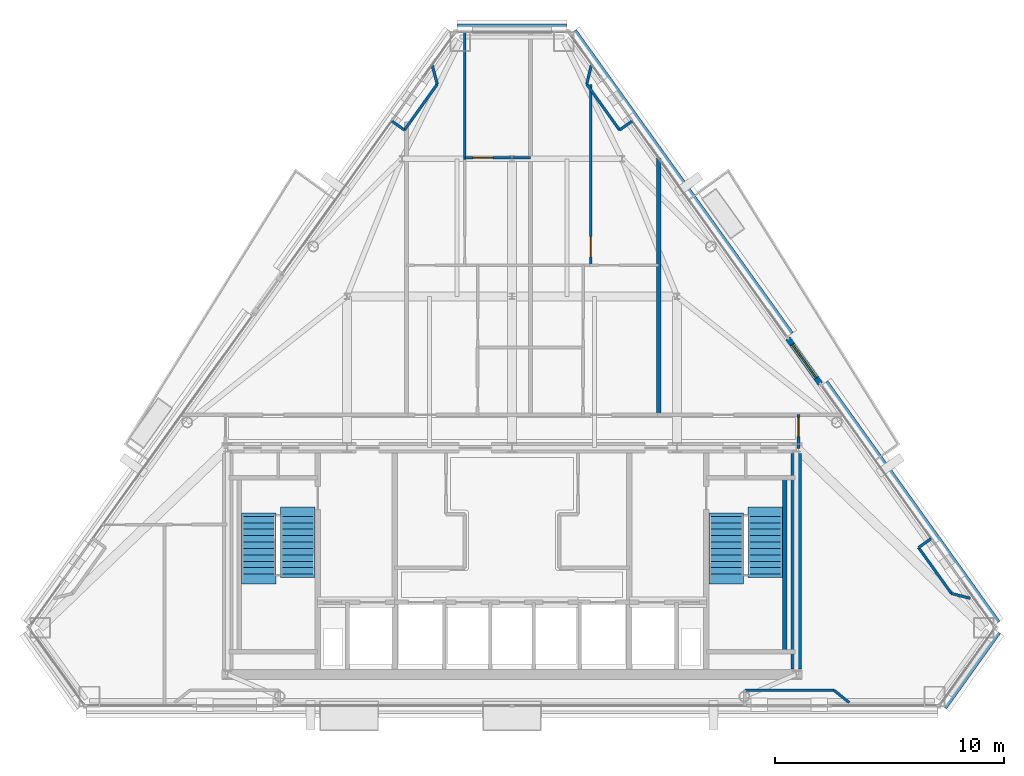
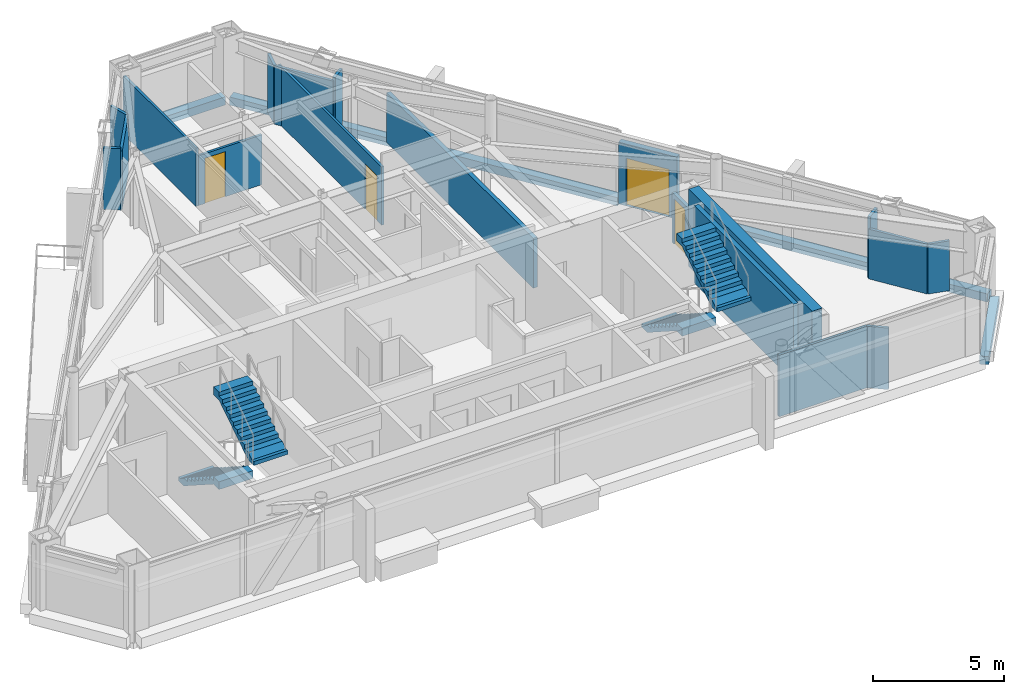
# One storey, part 10 of 12: 23 walls, 4 doors, 4 stair flights, 4 openings, 2 elements without a shape of their own.
"""IFC4 building model written with IfcOpenShell, lengths in metres."""

from ifc_helpers import new_model, si_unit, direction, frame, frame_2d, origin, place, context, subcontext, project, spatial, polyline, rectangle, outline, extrude, material, layer, layer_set, type_object, element, fill, aggregate, save


model = new_model("IFC4")

# Units and contexts
model_context = context("Model", 3, precision=1e-05, world=origin(), true_north=direction((0.0, 1.0)))
body_context = subcontext(model_context, "Body", "Model", "MODEL_VIEW")
ifc_project = project(units=[si_unit("LENGTHUNIT", "METRE"), si_unit("AREAUNIT", "SQUARE_METRE"), si_unit("VOLUMEUNIT", "CUBIC_METRE"), si_unit("PLANEANGLEUNIT", "RADIAN"), si_unit("MASSUNIT", "GRAM", prefix="KILO")], contexts=[model_context])

# Site, building, storey
site_placement = place(None, origin())
site = spatial("IfcSite", under=ifc_project, at=site_placement, CompositionType="ELEMENT")
building_placement = place(site_placement, origin())
building = spatial("IfcBuilding", under=site, at=building_placement, Name="Talgorran Terracotta Tower", CompositionType="ELEMENT")
storey_placement = place(building_placement, frame((0.0, 0.0, 249.0)))
storey = spatial("IfcBuildingStorey", under=building, at=storey_placement, Name="L65", CompositionType="ELEMENT", Elevation=249.0)

# Wall, opening, door
ifc_material_1 = material(Name="Concrete C40/50", Category="concrete")
ifc_layer_1 = layer(ifc_material_1, 0.239990234375, Name="WT_BALCONY_SPAND")
ifc_layer_set_1 = layer_set([ifc_layer_1], Name="Concrete C40/50")
wall_type_1 = type_object("IfcWallType", Name="WT_BALCONY_SPAND", PredefinedType="STANDARD", material=ifc_layer_set_1)
wall_1_placement = place(storey_placement, frame((13.458251953125, -1.417236328125, -0.014892578125), z_axis=(0.0, 0.0, 1.0), x_axis=(-0.582146480264, 0.813083928949, 0.0)))
wall_1 = element("IfcWall", 1, at=wall_1_placement, inside=storey, type_object=wall_type_1, Name="WL-L65-BALP-BAL-NE", PredefinedType="STANDARD", context=body_context, shape_type="SweptSolid", body=[
    extrude(rectangle(XDim=2.43994140625, YDim=0.239990234375, at=frame_2d((1.219970703125, 0.0))), origin(), (0.0, 0.0, 1.0), 2.8779296875),
])
opening_1_placement = place(wall_1_placement, frame((0.320068359375, 0.0, 0.014892578125)))
opening_1 = element("IfcOpeningElement", 2, at=opening_1_placement, cuts=wall_1, Name="Opening D-BAL-L65-1", PredefinedType="OPENING", context=body_context, shape_type="SweptSolid", body=[
    extrude(rectangle(XDim=1.806048828125, YDim=2.203951171875, at=frame_2d((0.89990234375, 1.10205078125))), frame((0.0, 0.1298828125, 0.0), z_axis=(0.0, -1.0, 0.0), x_axis=(1.0, 0.0, 0.0)), (0.0, 0.0, 1.0), 0.260009765625),
])
ifc_material_2 = material(Name="Thermally Broken Aluminium", Category="aluminium")
door_type_1 = type_object("IfcDoorType", Name="DT_BALC_1800", OperationType="SLIDING_TO_LEFT", PredefinedType="DOOR", material=ifc_material_2)
door_1_placement = place(opening_1_placement, origin())
door_1 = element("IfcDoor", 3, at=door_1_placement, inside=storey, type_object=door_type_1, Name="DR-L65-BAL-BAL-NE", OperationType="SLIDING_TO_LEFT", OverallHeight=2.199951171875, OverallWidth=1.800048828125, PredefinedType="DOOR", context=body_context, shape_type="SweptSolid", body=[
    extrude(rectangle(XDim=1.800048828125, YDim=2.199951171875, at=frame_2d((0.89990234375, 1.10009765625))), frame((0.0, 0.02490234375, 0.0), z_axis=(0.0, -1.0, 0.0), x_axis=(1.0, 0.0, 0.0)), (0.0, 0.0, 1.0), 0.050048828125),
])
fill(opening_1, door_1)

# Walls
ifc_material_3 = material(Name="Concrete C50/60", Category="concrete")
ifc_layer_2 = layer(ifc_material_3, 0.199951171875, Name="WT_CORE_200")
ifc_layer_set_2 = layer_set([ifc_layer_2], Name="Concrete C50/60")
wall_type_2 = type_object("IfcWallType", Name="WT_CORE_200", PredefinedType="SOLIDWALL", material=ifc_layer_set_2)
wall_2_placement = place(storey_placement, frame((11.89990234375, -13.10009765625, 0.0), z_axis=(0.0, 0.0, 1.0), x_axis=(0.0, 1.0, 0.0)))
element("IfcWall", 4, at=wall_2_placement, inside=storey, type_object=wall_type_2, Name="WL-L65-CW-ST2-E", PredefinedType="SOLIDWALL", context=body_context, shape_type="SweptSolid", body=[
    extrude(rectangle(XDim=7.580078125, YDim=0.199951171875, at=frame_2d((3.7900390625, 0.0))), origin(), (0.0, 0.0, 1.0), 3.60009765625),
])
ifc_material_4 = material(Name="Concrete C65/80", Category="concrete")
ifc_layer_3 = layer(ifc_material_4, 0.449951171875, Name="WT_CORE_EXT")
ifc_layer_set_3 = layer_set([ifc_layer_3], Name="Concrete C65/80")
wall_type_3 = type_object("IfcWallType", Name="WT_CORE_EXT", PredefinedType="SHEAR", material=ifc_layer_set_3)
wall_3_placement = place(storey_placement, frame((12.39990234375, -13.85009765625, 0.0), z_axis=(0.0, 0.0, 1.0), x_axis=(0.0, 1.0, 0.0)))
element("IfcWall", 5, at=wall_3_placement, inside=storey, type_object=wall_type_3, Name="WL-L65-CW-OUT-E", PredefinedType="SHEAR", context=body_context, shape_type="SweptSolid", body=[
    extrude(rectangle(XDim=9.400146484375, YDim=0.449951171875, at=frame_2d((4.7001953125, 0.0))), origin(), (0.0, 0.0, 1.0), 3.60009765625),
])

# Wall, opening, door
ifc_material_5 = material(Name="Fire-Rated Steel Stud Plasterboard", Category="steel")
ifc_layer_4 = layer(ifc_material_5, 0.14990234375, Name="WT_FIRE_150")
ifc_layer_set_4 = layer_set([ifc_layer_4], Name="Fire-Rated Steel Stud Plasterboard")
wall_type_4 = type_object("IfcWallType", Name="WT_FIRE_150", PredefinedType="PARTITIONING", material=ifc_layer_set_4)
wall_4_placement = place(storey_placement, frame((12.5, -4.239990234375, 0.0), z_axis=(0.0, 0.0, 1.0), x_axis=(0.0, 1.0, 0.0)))
wall_4 = element("IfcWall", 6, at=wall_4_placement, inside=storey, type_object=wall_type_4, Name="WL-L65-W-L65-R02", PredefinedType="PARTITIONING", context=body_context, shape_type="SweptSolid", body=[
    extrude(rectangle(XDim=1.47998046875, YDim=0.14990234375, at=frame_2d((0.739990234375, 0.0))), origin(), (0.0, 0.0, 1.0), 2.320068359375),
])
opening_2_placement = place(wall_4_placement, frame((0.521728515625, 0.0, 0.0)))
opening_2 = element("IfcOpeningElement", 7, at=opening_2_placement, cuts=wall_4, Name="Opening DR-L65-R04", PredefinedType="OPENING", context=body_context, shape_type="SweptSolid", body=[
    extrude(rectangle(XDim=0.826068359375, YDim=2.10409765625, at=frame_2d((0.41015625, 1.052001953125))), frame((0.0, 0.0849609375, 0.0), z_axis=(0.0, -1.0, 0.0), x_axis=(1.0, 0.0, 0.0)), (0.0, 0.0, 1.0), 0.169921875),
])
ifc_material_6 = material(Name="Moisture-Resistant Solid Timber", Category="wood")
door_type_2 = type_object("IfcDoorType", Name="DT_INT_820", OperationType="NOTDEFINED", PredefinedType="DOOR", material=ifc_material_6)
door_2_placement = place(opening_2_placement, origin())
door_2 = element("IfcDoor", 8, at=door_2_placement, inside=storey, type_object=door_type_2, Name="DR-L65-R04", OperationType="SINGLE_SWING_RIGHT", OverallHeight=2.10009765625, OverallWidth=0.820068359375, PredefinedType="DOOR", context=body_context, shape_type="SweptSolid", body=[
    extrude(rectangle(XDim=0.820068359375, YDim=2.10009765625, at=frame_2d((0.41015625, 1.050048828125))), frame((0.0, 0.02490234375, 0.0), z_axis=(0.0, -1.0, 0.0), x_axis=(1.0, 0.0, 0.0)), (0.0, 0.0, 1.0), 0.050048828125),
])
fill(opening_2, door_2)

# Walls
ifc_layer_5 = layer(ifc_material_1, 0.219970703125, Name="WT_PARAPET_RC")
ifc_layer_set_5 = layer_set([ifc_layer_5], Name="Concrete C40/50")
wall_type_5 = type_object("IfcWallType", Name="WT_PARAPET_RC", PredefinedType="PARAPET", material=ifc_layer_set_5)
wall_5_placement = place(storey_placement, frame((18.814208984375, -15.491455078125, -0.199951171875), z_axis=(0.0, 0.0, 1.0), x_axis=(0.582223401732, 0.813028849719, 0.0)))
element("IfcWall", 9, at=wall_5_placement, inside=storey, type_object=wall_type_5, Name="L65 Striped Portal Precast Cornice F2", PredefinedType="PARAPET", context=body_context, shape_type="SweptSolid", body=[
    extrude(rectangle(XDim=4.030029296875, YDim=0.360107421875, at=frame_2d((2.01513671875, 0.0))), origin(), (0.0, 0.0, 1.0), 0.3798828125),
])
wall_6_placement = place(storey_placement, frame((21.13720703125, -11.865966796875, -0.199951171875), z_axis=(0.0, 0.0, 1.0), x_axis=(-0.582197369703, 0.813047491055, 0.0)))
element("IfcWall", 10, at=wall_6_placement, inside=storey, type_object=wall_type_5, Name="L65 Striped Portal Precast Cornice F40", PredefinedType="PARAPET", context=body_context, shape_type="SweptSolid", body=[
    extrude(rectangle(XDim=12.8759765625, YDim=0.360107421875, at=frame_2d((6.43798828125, 0.0))), origin(), (0.0, 0.0, 1.0), 0.3798828125),
])
wall_7_placement = place(storey_placement, frame((12.115478515625, 0.73291015625, -0.199951171875), z_axis=(0.0, 0.0, 1.0), x_axis=(-0.582205107077, 0.813041950513, 0.0)))
element("IfcWall", 11, at=wall_7_placement, inside=storey, type_object=wall_type_5, Name="L65 Striped Portal Precast Cornice F41", PredefinedType="PARAPET", context=body_context, shape_type="SweptSolid", body=[
    extrude(rectangle(XDim=16.234619140625, YDim=0.360107421875, at=frame_2d((8.1171875, 0.0))), origin(), (0.0, 0.0, 1.0), 0.3798828125),
])
wall_8_placement = place(storey_placement, frame((2.383544921875, 14.0966796875, -0.199951171875), z_axis=(0.0, 0.0, 1.0), x_axis=(-1.0, 0.0, 0.0)))
element("IfcWall", 12, at=wall_8_placement, inside=storey, type_object=wall_type_5, Name="L65 Striped Portal Precast Cornice F4", PredefinedType="PARAPET", context=body_context, shape_type="SweptSolid", body=[
    extrude(rectangle(XDim=4.76708984375, YDim=0.360107421875, at=frame_2d((2.383544921875, 0.0))), origin(), (0.0, 0.0, 1.0), 0.3798828125),
])
ifc_material_7 = material(Name="Acoustic Stud and Plasterboard")
ifc_layer_6 = layer(ifc_material_7, 0.179931640625, Name="WT_PARTY_200")
ifc_layer_set_6 = layer_set([ifc_layer_6], Name="Acoustic Stud and Plasterboard")
wall_type_6 = type_object("IfcWallType", Name="WT_PARTY_200", PredefinedType="PARTITIONING", material=ifc_layer_set_6)
wall_9_placement = place(storey_placement, frame((6.39990234375, -2.760009765625, 0.0), z_axis=(0.0, 0.0, 1.0), x_axis=(0.0, 1.0, 0.0)))
element("IfcWall", 13, at=wall_9_placement, inside=storey, type_object=wall_type_6, Name="WL-L65-W-L65-R33", PredefinedType="PARTITIONING", context=body_context, shape_type="SweptSolid", body=[
    extrude(rectangle(XDim=11.19970703125, YDim=0.179931640625, at=frame_2d((5.599853515625, 0.0))), origin(), (0.0, 0.0, 1.0), 2.320068359375),
])

# Wall, opening, door
ifc_material_8 = material(Name="Lightweight Steel Stud Partition", Category="steel")
ifc_layer_7 = layer(ifc_material_8, 0.10498046875, Name="WT_PART_110")
ifc_layer_set_7 = layer_set([ifc_layer_7], Name="Lightweight Steel Stud Partition")
wall_type_7 = type_object("IfcWallType", Name="WT_PART_110", PredefinedType="PARTITIONING", material=ifc_layer_set_7)
wall_10_placement = place(storey_placement, frame((3.43994140625, 3.760009765625, 0.0), z_axis=(0.0, 0.0, 1.0), x_axis=(0.0, 1.0, 0.0)))
wall_10 = element("IfcWall", 14, at=wall_10_placement, inside=storey, type_object=wall_type_7, Name="WL-L65-W-L65-R34", PredefinedType="PARTITIONING", context=body_context, shape_type="SweptSolid", body=[
    extrude(rectangle(XDim=7.8798828125, YDim=0.10498046875, at=frame_2d((3.93994140625, 0.0))), origin(), (0.0, 0.0, 1.0), 2.718017578125),
])
opening_3_placement = place(wall_10_placement, frame((0.359375, 0.0, 0.0)))
opening_3 = element("IfcOpeningElement", 15, at=opening_3_placement, cuts=wall_10, Name="Opening DR-L65-R15", PredefinedType="OPENING", context=body_context, shape_type="SweptSolid", body=[
    extrude(rectangle(XDim=0.8858828125, YDim=2.10409765625, at=frame_2d((0.43994140625, 1.052001953125))), frame((0.0, 0.0625, 0.0), z_axis=(0.0, -1.0, 0.0), x_axis=(1.0, 0.0, 0.0)), (0.0, 0.0, 1.0), 0.125),
])
ifc_material_9 = material(Name="Solid-Core Painted Timber", Category="wood")
door_type_3 = type_object("IfcDoorType", Name="DT_INT_880", OperationType="NOTDEFINED", PredefinedType="DOOR", material=ifc_material_9)
door_3_placement = place(opening_3_placement, origin())
door_3 = element("IfcDoor", 16, at=door_3_placement, inside=storey, type_object=door_type_3, Name="DR-L65-R15", OperationType="SINGLE_SWING_LEFT", OverallHeight=2.10009765625, OverallWidth=0.8798828125, PredefinedType="DOOR", context=body_context, shape_type="SweptSolid", body=[
    extrude(rectangle(XDim=0.8798828125, YDim=2.10009765625, at=frame_2d((0.43994140625, 1.050048828125))), frame((0.0, 0.02490234375, 0.0), z_axis=(0.0, -1.0, 0.0), x_axis=(1.0, 0.0, 0.0)), (0.0, 0.0, 1.0), 0.050048828125),
])
fill(opening_3, door_3)

# Wall
wall_11_placement = place(storey_placement, frame((-2.06005859375, 8.3798828125, 0.0), z_axis=(0.0, 0.0, 1.0), x_axis=(0.0, 1.0, 0.0)))
element("IfcWall", 17, at=wall_11_placement, inside=storey, type_object=wall_type_7, Name="WL-L65-W-L65-R23", PredefinedType="PARTITIONING", context=body_context, shape_type="SweptSolid", body=[
    extrude(rectangle(XDim=5.556884765625, YDim=0.10498046875, at=frame_2d((2.7783203125, 0.0))), origin(), (0.0, 0.0, 1.0), 2.718017578125),
])

# Wall, opening, door
wall_12_placement = place(storey_placement, frame((-2.06005859375, 8.43994140625, 0.0), z_axis=(0.0, 0.0, 1.0), x_axis=(1.0, 0.0, 0.0)))
wall_12 = element("IfcWall", 18, at=wall_12_placement, inside=storey, type_object=wall_type_7, Name="WL-L65-W-L65-R24", PredefinedType="PARTITIONING", context=body_context, shape_type="SweptSolid", body=[
    extrude(rectangle(XDim=2.860107421875, YDim=0.10498046875, at=frame_2d((1.43017578125, 0.0))), origin(), (0.0, 0.0, 1.0), 2.320068359375),
])
opening_4_placement = place(wall_12_placement, frame((0.357421875, 0.0, 0.0)))
opening_4 = element("IfcOpeningElement", 19, at=opening_4_placement, cuts=wall_12, Name="Opening DR-L65-R11", PredefinedType="OPENING", context=body_context, shape_type="SweptSolid", body=[
    extrude(rectangle(XDim=0.8858828125, YDim=2.10409765625, at=frame_2d((0.43994140625, 1.052001953125))), frame((0.0, 0.0625, 0.0), z_axis=(0.0, -1.0, 0.0), x_axis=(1.0, 0.0, 0.0)), (0.0, 0.0, 1.0), 0.125),
])
door_4_placement = place(opening_4_placement, origin())
door_4 = element("IfcDoor", 20, at=door_4_placement, inside=storey, type_object=door_type_3, Name="DR-L65-R11", OperationType="SINGLE_SWING_LEFT", OverallHeight=2.10009765625, OverallWidth=0.8798828125, PredefinedType="DOOR", context=body_context, shape_type="SweptSolid", body=[
    extrude(rectangle(XDim=0.8798828125, YDim=2.10009765625, at=frame_2d((0.43994140625, 1.050048828125))), frame((0.0, 0.02490234375, 0.0), z_axis=(0.0, -1.0, 0.0), x_axis=(1.0, 0.0, 0.0)), (0.0, 0.0, 1.0), 0.050048828125),
])
fill(opening_4, door_4)

# Walls
ifc_material_10 = material(Name="Insulated Steel Stud Plasterboard", Category="steel")
ifc_layer_8 = layer(ifc_material_10, 0.1201171875, Name="WT_PART_120")
ifc_layer_set_8 = layer_set([ifc_layer_8], Name="Insulated Steel Stud Plasterboard")
wall_type_8 = type_object("IfcWallType", Name="WT_PART_120", PredefinedType="PARTITIONING", material=ifc_layer_set_8)
wall_13_placement = place(storey_placement, frame((10.157958984375, -14.783203125, 0.0), z_axis=(0.0, 0.0, 1.0), x_axis=(1.0, 0.0, 0.0)))
element("IfcWall", 21, at=wall_13_placement, inside=storey, type_object=wall_type_8, Name="WL-L65-BW-L65-06", PredefinedType="PARTITIONING", context=body_context, shape_type="SweptSolid", body=[
    extrude(rectangle(XDim=3.88623046875, YDim=0.1201171875, at=frame_2d((1.943115234375, 0.0))), origin(), (0.0, 0.0, 1.0), 2.863037109375),
])
for number, where, z_axis, x_axis, name in (
    (22, (-3.260009765625, 11.65673828125, 0.0), (0.0, 0.0, 1.0), (-0.582138732025, -0.813089476427, 0.0), "WL-L65-BW-L65-15"),
    (23, (4.692626953125, 9.65576171875, 0.0), (0.0, 0.0, 1.0), (-0.582138732025, 0.813089476427, 0.0), "WL-L65-BW-L65-18"),
):
    element("IfcWall", number, at=place(storey_placement, frame(where, z_axis=z_axis, x_axis=x_axis)), inside=storey, type_object=wall_type_8, Name=name, PredefinedType="PARTITIONING", context=body_context, shape_type="SweptSolid", body=[
        extrude(rectangle(XDim=2.4609375, YDim=0.1201171875, at=frame_2d((1.23046875, 0.0))), origin(), (0.0, 0.0, 1.0), 2.718017578125),
    ])
wall_14_placement = place(storey_placement, frame((19.17041015625, -10.56201171875, 0.0), z_axis=(0.0, 0.0, 1.0), x_axis=(-0.582157358489, 0.81307614032, 0.0)))
element("IfcWall", 24, at=wall_14_placement, inside=storey, type_object=wall_type_8, Name="WL-L65-BW-L65-13", PredefinedType="PARTITIONING", context=body_context, shape_type="SweptSolid", body=[
    extrude(rectangle(XDim=2.461181640625, YDim=0.1201171875, at=frame_2d((1.23046875, 0.0))), origin(), (0.0, 0.0, 1.0), 2.320068359375),
])
wall_15_placement = place(storey_placement, frame((-3.4833984375, 12.495361328125, 0.0), z_axis=(0.0, 0.0, 1.0), x_axis=(0.257400005841, -0.966304939961, 0.0)))
element("IfcWall", 25, at=wall_15_placement, inside=storey, type_object=wall_type_8, Name="WL-L65-BW-L65-14", PredefinedType="PARTITIONING", context=body_context, shape_type="SweptSolid", body=[
    extrude(rectangle(XDim=0.867919921875, YDim=0.1201171875, at=frame_2d((0.43408203125, 0.0))), origin(), (0.0, 0.0, 1.0), 2.718017578125),
])
wall_16_placement = place(storey_placement, frame((14.044189453125, -14.783203125, 0.0), z_axis=(0.0, 0.0, 1.0), x_axis=(0.778769450364, -0.62731024476, 0.0)))
element("IfcWall", 26, at=wall_16_placement, inside=storey, type_object=wall_type_8, Name="WL-L65-BW-L65-04", PredefinedType="PARTITIONING", context=body_context, shape_type="SweptSolid", body=[
    extrude(rectangle(XDim=0.852783203125, YDim=0.1201171875, at=frame_2d((0.42626953125, 0.0))), origin(), (0.0, 0.0, 1.0), 2.863037109375),
])
wall_17_placement = place(storey_placement, frame((19.99560546875, -10.773193359375, 0.0), z_axis=(0.0, 0.0, 1.0), x_axis=(-0.968778693612, 0.247927091708, 0.0)))
element("IfcWall", 27, at=wall_17_placement, inside=storey, type_object=wall_type_8, Name="WL-L65-BW-L65-12", PredefinedType="PARTITIONING", context=body_context, shape_type="SweptSolid", body=[
    extrude(rectangle(XDim=0.851806640625, YDim=0.1201171875, at=frame_2d((0.42578125, 0.0))), origin(), (0.0, 0.0, 1.0), 2.320068359375),
])
wall_18_placement = place(storey_placement, frame((3.260009765625, 11.65673828125, 0.0), z_axis=(0.0, 0.0, 1.0), x_axis=(0.237990769986, 0.971267416009, 0.0)))
element("IfcWall", 28, at=wall_18_placement, inside=storey, type_object=wall_type_8, Name="WL-L65-BW-L65-19", PredefinedType="PARTITIONING", context=body_context, shape_type="SweptSolid", body=[
    extrude(rectangle(XDim=0.847412109375, YDim=0.1201171875, at=frame_2d((0.423828125, 0.0))), origin(), (0.0, 0.0, 1.0), 2.718017578125),
])
for number, where, z_axis, x_axis, name in (
    (29, (-4.692626953125, 9.65576171875, 0.0), (0.0, 0.0, 1.0), (-0.813093010833, 0.58213379539, 0.0), "WL-L65-BW-L65-16"),
    (30, (5.237548828125, 10.0458984375, 0.0), (0.0, 0.0, 1.0), (-0.813093010833, -0.58213379539, 0.0), "WL-L65-BW-L65-17"),
):
    element("IfcWall", number, at=place(storey_placement, frame(where, z_axis=z_axis, x_axis=x_axis)), inside=storey, type_object=wall_type_8, Name=name, PredefinedType="PARTITIONING", context=body_context, shape_type="SweptSolid", body=[
        extrude(rectangle(XDim=0.670166015625, YDim=0.1201171875, at=frame_2d((0.3349609375, 0.0))), origin(), (0.0, 0.0, 1.0), 2.863037109375),
    ])
wall_19_placement = place(storey_placement, frame((17.737548828125, -8.560791015625, 0.0), z_axis=(0.0, 0.0, 1.0), x_axis=(0.813142011208, 0.582065348229, 0.0)))
element("IfcWall", 31, at=wall_19_placement, inside=storey, type_object=wall_type_8, Name="WL-L65-BW-L65-11", PredefinedType="PARTITIONING", context=body_context, shape_type="SweptSolid", body=[
    extrude(rectangle(XDim=0.669921875, YDim=0.1201171875, at=frame_2d((0.3349609375, 0.0))), origin(), (0.0, 0.0, 1.0), 2.863037109375),
])

# Stair, stair flights
stair_type = type_object("IfcStairType", Name="ST_FIRE_SCISSOR", PredefinedType="HALF_TURN_STAIR", material=ifc_material_1)
stair_1_placement = place(storey_placement, origin())
stair_1 = element("IfcStair", 32, at=stair_1_placement, inside=storey, type_object=stair_type, Name="L65 West Protected Fire Stair ST-01", PredefinedType="HALF_TURN_STAIR")
ifc_layer_9 = layer(ifc_material_1, 0.179931640625, Name="STF_RC_1500")
ifc_layer_set_9 = layer_set([ifc_layer_9], Name="Concrete C40/50")
stair_flight_type = type_object("IfcStairFlightType", Name="STF_RC_1500", PredefinedType="STRAIGHT", material=ifc_layer_set_9)
stair_flight_1_placement = place(storey_placement, frame((-11.050048828125, -7.199951171875, 0.0), z_axis=(0.0, 0.0, 1.0), x_axis=(0.0, -1.0, 0.0)))
stair_flight_1 = element("IfcStairFlight", 33, at=stair_flight_1_placement, type_object=stair_flight_type, Name="ST-01 flight 1", NumberOfRisers=10, NumberOfTreads=9, PredefinedType="STRAIGHT", RiserHeight=0.18, TreadLength=0.28, context=body_context, shape_type="SweptSolid", body=[
    extrude(outline(polyline([(-0.139892578125, 0.0), (-0.139892578125, 0.179931640625), (0.0, 0.179931640625), (0.280029296875, 0.360107421875), (0.56005859375, 0.360107421875), (0.56005859375, 0.5400390625), (0.840087890625, 0.5400390625), (0.840087890625, 0.719970703125), (1.1201171875, 0.719970703125), (1.1201171875, 0.89990234375), (1.39990234375, 0.89990234375), (1.39990234375, 1.080078125), (1.679931640625, 1.080078125), (1.679931640625, 1.260009765625), (1.9599609375, 1.260009765625), (1.9599609375, 1.43994140625), (2.239990234375, 1.43994140625), (2.239990234375, 1.6201171875), (2.52001953125, 1.6201171875), (2.52001953125, 1.800048828125), (2.93994140625, 1.800048828125), (2.93994140625, 1.44189453125), (2.52001953125, 1.44189453125), (0.277099609375, 0.0), (-0.139892578125, 0.0)])), frame((0.0, 0.75, 0.0), z_axis=(0.0, -1.0, 0.0), x_axis=(1.0, 0.0, 0.0)), (0.0, 0.0, 1.0), 1.5),
])
stair_flight_2_placement = place(storey_placement, frame((-9.35009765625, -9.719970703125, 1.800048828125), z_axis=(0.0, 0.0, 1.0), x_axis=(0.0, 1.0, 0.0)))
stair_flight_2 = element("IfcStairFlight", 34, at=stair_flight_2_placement, type_object=stair_flight_type, Name="ST-01 flight 2", NumberOfRisers=10, NumberOfTreads=9, PredefinedType="STRAIGHT", RiserHeight=0.18, TreadLength=0.28, context=body_context, shape_type="SweptSolid", body=[
    extrude(outline(polyline([(-0.139892578125, 0.0), (-0.139892578125, 0.179931640625), (0.0, 0.179931640625), (0.280029296875, 0.360107421875), (0.56005859375, 0.360107421875), (0.56005859375, 0.5400390625), (0.840087890625, 0.5400390625), (0.840087890625, 0.719970703125), (1.1201171875, 0.719970703125), (1.1201171875, 0.89990234375), (1.39990234375, 0.89990234375), (1.39990234375, 1.080078125), (1.679931640625, 1.080078125), (1.679931640625, 1.260009765625), (1.9599609375, 1.260009765625), (1.9599609375, 1.43994140625), (2.239990234375, 1.43994140625), (2.239990234375, 1.6201171875), (2.52001953125, 1.6201171875), (2.52001953125, 1.800048828125), (2.93994140625, 1.800048828125), (2.93994140625, 1.44189453125), (2.52001953125, 1.44189453125), (0.277099609375, 0.0), (-0.139892578125, 0.0)])), frame((0.0, 0.75, 0.0), z_axis=(0.0, -1.0, 0.0), x_axis=(1.0, 0.0, 0.0)), (0.0, 0.0, 1.0), 1.5),
])
aggregate(stair_1, [stair_flight_1, stair_flight_2])

stair_2_placement = place(storey_placement, origin())
stair_2 = element("IfcStair", 35, at=stair_2_placement, inside=storey, type_object=stair_type, Name="L65 East Protected Fire Stair ST-02", PredefinedType="HALF_TURN_STAIR")
stair_flight_3_placement = place(storey_placement, frame((9.35009765625, -7.199951171875, 0.0), z_axis=(0.0, 0.0, 1.0), x_axis=(0.0, -1.0, 0.0)))
stair_flight_3 = element("IfcStairFlight", 36, at=stair_flight_3_placement, type_object=stair_flight_type, Name="ST-02 flight 1", NumberOfRisers=10, NumberOfTreads=9, PredefinedType="STRAIGHT", RiserHeight=0.18, TreadLength=0.28, context=body_context, shape_type="SweptSolid", body=[
    extrude(outline(polyline([(-0.139892578125, 0.0), (-0.139892578125, 0.179931640625), (0.0, 0.179931640625), (0.280029296875, 0.360107421875), (0.56005859375, 0.360107421875), (0.56005859375, 0.5400390625), (0.840087890625, 0.5400390625), (0.840087890625, 0.719970703125), (1.1201171875, 0.719970703125), (1.1201171875, 0.89990234375), (1.39990234375, 0.89990234375), (1.39990234375, 1.080078125), (1.679931640625, 1.080078125), (1.679931640625, 1.260009765625), (1.9599609375, 1.260009765625), (1.9599609375, 1.43994140625), (2.239990234375, 1.43994140625), (2.239990234375, 1.6201171875), (2.52001953125, 1.6201171875), (2.52001953125, 1.800048828125), (2.93994140625, 1.800048828125), (2.93994140625, 1.44189453125), (2.52001953125, 1.44189453125), (0.277099609375, 0.0), (-0.139892578125, 0.0)])), frame((0.0, 0.75, 0.0), z_axis=(0.0, -1.0, 0.0), x_axis=(1.0, 0.0, 0.0)), (0.0, 0.0, 1.0), 1.5),
])
stair_flight_4_placement = place(storey_placement, frame((11.050048828125, -9.719970703125, 1.800048828125), z_axis=(0.0, 0.0, 1.0), x_axis=(0.0, 1.0, 0.0)))
stair_flight_4 = element("IfcStairFlight", 37, at=stair_flight_4_placement, type_object=stair_flight_type, Name="ST-02 flight 2", NumberOfRisers=10, NumberOfTreads=9, PredefinedType="STRAIGHT", RiserHeight=0.18, TreadLength=0.28, context=body_context, shape_type="SweptSolid", body=[
    extrude(outline(polyline([(-0.139892578125, 0.0), (-0.139892578125, 0.179931640625), (0.0, 0.179931640625), (0.280029296875, 0.360107421875), (0.56005859375, 0.360107421875), (0.56005859375, 0.5400390625), (0.840087890625, 0.5400390625), (0.840087890625, 0.719970703125), (1.1201171875, 0.719970703125), (1.1201171875, 0.89990234375), (1.39990234375, 0.89990234375), (1.39990234375, 1.080078125), (1.679931640625, 1.080078125), (1.679931640625, 1.260009765625), (1.9599609375, 1.260009765625), (1.9599609375, 1.43994140625), (2.239990234375, 1.43994140625), (2.239990234375, 1.6201171875), (2.52001953125, 1.6201171875), (2.52001953125, 1.800048828125), (2.93994140625, 1.800048828125), (2.93994140625, 1.44189453125), (2.52001953125, 1.44189453125), (0.277099609375, 0.0), (-0.139892578125, 0.0)])), frame((0.0, 0.75, 0.0), z_axis=(0.0, -1.0, 0.0), x_axis=(1.0, 0.0, 0.0)), (0.0, 0.0, 1.0), 1.5),
])
aggregate(stair_2, [stair_flight_3, stair_flight_4])

save(model, "model.ifc")
